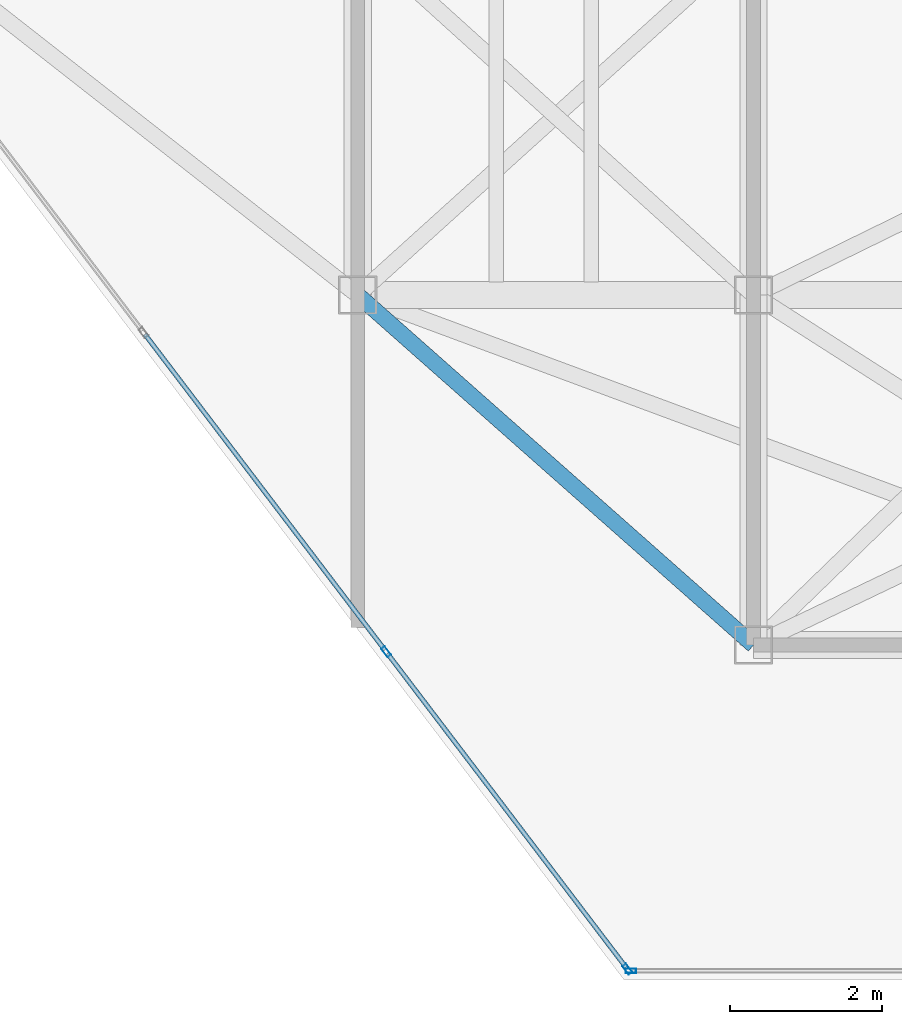
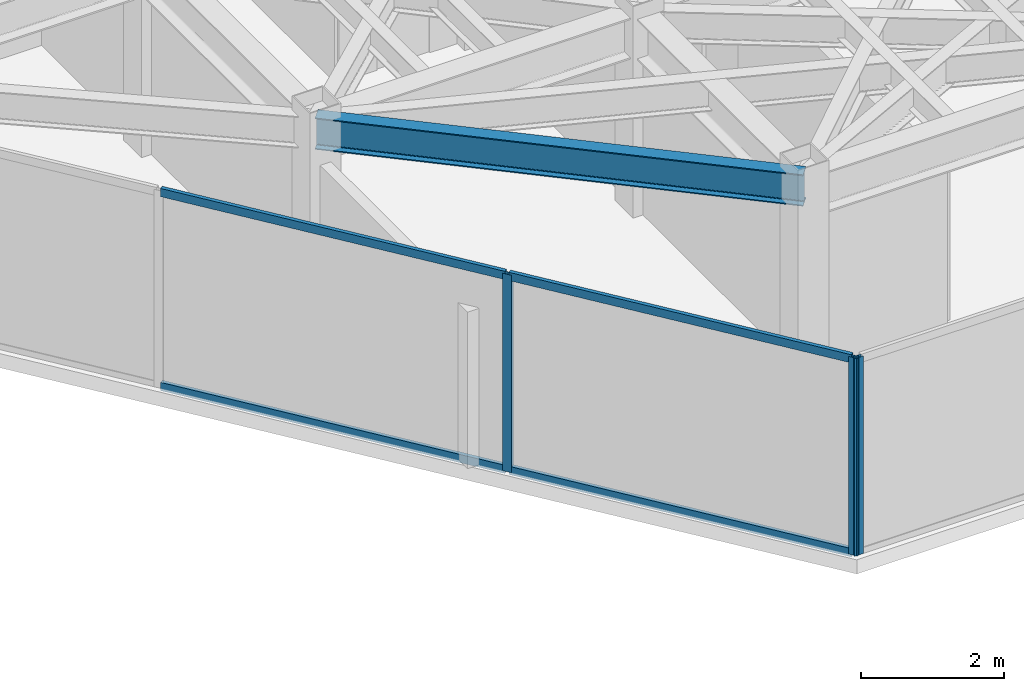
# One storey, part 6 of 17: 7 members, 1 beam, 2 elements without a shape of their own.
"""IFC4 building model written with IfcOpenShell, lengths in metres."""

from ifc_helpers import new_model, si_unit, direction, frame, origin, origin_2d, place, context, subcontext, project, spatial, hollow_rectangle, i_section, extrude, material, layer, layer_set, material_profile, profile_set, type_object, element, aggregate, save


model = new_model("IFC4")

# Units and contexts
model_context = context("Model", 3, precision=1e-05, world=origin(), true_north=direction((0.0, 1.0)))
body_context = subcontext(model_context, "Body", "Model", "MODEL_VIEW")
ifc_project = project(units=[si_unit("LENGTHUNIT", "METRE"), si_unit("AREAUNIT", "SQUARE_METRE"), si_unit("VOLUMEUNIT", "CUBIC_METRE"), si_unit("PLANEANGLEUNIT", "RADIAN"), si_unit("MASSUNIT", "GRAM", prefix="KILO")], contexts=[model_context])

# Site, building, storey
site_placement = place(None, origin())
site = spatial("IfcSite", under=ifc_project, at=site_placement, CompositionType="ELEMENT")
building_placement = place(site_placement, origin())
building = spatial("IfcBuilding", under=site, at=building_placement, Name="Kravanh Interchange Tower", CompositionType="ELEMENT")
storey_placement = place(building_placement, frame((0.0, 0.0, 249.0)))
storey = spatial("IfcBuildingStorey", under=building, at=storey_placement, Name="L60", CompositionType="ELEMENT", Elevation=249.0)

# Curtain wall, member
ifc_material_1 = material(Name="Anodised Bronze Aluminium", Category="aluminium")
ifc_layer = layer(ifc_material_1, 0.179931640625)
ifc_layer_set = layer_set([ifc_layer], Name="Unitised Curtain Wall System CW-HTL Luxury Hotel")
curtain_wall_type = type_object("IfcCurtainWallType", Name="Unitised Curtain Wall System CW-HTL Luxury Hotel", PredefinedType="NOTDEFINED", material=ifc_layer_set)
curtain_wall_1_placement = place(storey_placement, origin())
curtain_wall_1 = element("IfcCurtainWall", 1, at=curtain_wall_1_placement, inside=storey, type_object=curtain_wall_type, Name="L60 Unitised Curtain Wall CW-L60-02", PredefinedType="NOTDEFINED")
ifc_material_2 = material(Name="Anodised Bronze Aluminium", Category="aluminium")
ifc_material_profile_1 = material_profile(ifc_material_2, hollow_rectangle(XDim=0.06005859375, YDim=0.139892578125, WallThickness=0.00390625, at=origin_2d()), Name="ALU60X140X4")
ifc_profile_set_1 = profile_set([ifc_material_profile_1], Name="Anodised Bronze Aluminium")
member_type_1 = type_object("IfcMemberType", Name="Curtain Wall Mullion ALU60X140X4 Bronze", PredefinedType="MULLION", material=ifc_profile_set_1)
member_1_placement = place(storey_placement, frame((54.389404296875, 17.919921875, 0.0), z_axis=(0.0, 0.0, 1.0), x_axis=(0.0, -1.0, 0.0)))
member_1 = element("IfcMember", 2, at=member_1_placement, type_object=member_type_1, Name="CW-HTL mullion 3", PredefinedType="MULLION", context=body_context, shape_type="SweptSolid", body=[
    extrude(hollow_rectangle(XDim=0.06005859375, YDim=0.139892578125, WallThickness=0.00390625, at=origin_2d()), origin(), (0.0, 0.0, 1.0), 3.360107421875),
])
aggregate(curtain_wall_1, [member_1])

# Curtain wall, members
curtain_wall_2_placement = place(storey_placement, origin())
curtain_wall_2 = element("IfcCurtainWall", 3, at=curtain_wall_2_placement, inside=storey, type_object=curtain_wall_type, Name="L60 Unitised Curtain Wall CW-L60-03", PredefinedType="NOTDEFINED")
member_2_placement = place(storey_placement, frame((54.34130859375, 17.94384765625, 0.0), z_axis=(0.0, 0.0, 1.0), x_axis=(-0.79616243806, -0.605082946564, 0.0)))
member_2 = element("IfcMember", 4, at=member_2_placement, type_object=member_type_1, Name="CW-HTL mullion 1", PredefinedType="MULLION", context=body_context, shape_type="SweptSolid", body=[
    extrude(hollow_rectangle(XDim=0.06005859375, YDim=0.139892578125, WallThickness=0.00390625, at=origin_2d()), origin(), (0.0, 0.0, 1.0), 3.360107421875),
])
member_3_placement = place(storey_placement, frame((51.173095703125, 22.11279296875, 0.0), z_axis=(0.0, 0.0, 1.0), x_axis=(-0.79616243806, -0.605082946564, 0.0)))
member_3 = element("IfcMember", 5, at=member_3_placement, type_object=member_type_1, Name="CW-HTL mullion 2", PredefinedType="MULLION", context=body_context, shape_type="SweptSolid", body=[
    extrude(hollow_rectangle(XDim=0.06005859375, YDim=0.139892578125, WallThickness=0.00390625, at=origin_2d()), origin(), (0.0, 0.0, 1.0), 3.360107421875),
])
ifc_material_3 = material(Name="Anodised Bronze Aluminium", Category="aluminium")
ifc_material_profile_2 = material_profile(ifc_material_3, hollow_rectangle(XDim=0.06005859375, YDim=0.139892578125, WallThickness=0.00390625, at=origin_2d()), Name="ALU60X140X4")
ifc_profile_set_2 = profile_set([ifc_material_profile_2], Name="Anodised Bronze Aluminium")
member_type_2 = type_object("IfcMemberType", Name="Curtain Wall Transom ALU60X140X4 Bronze", PredefinedType="USERDEFINED", material=ifc_profile_set_2)
member_4_placement = place(storey_placement, frame((54.3232421875, 17.9677734375, 0.030029296875), z_axis=(-0.605089246946, 0.796157649734, 0.0), x_axis=(-0.796157649734, -0.605089246946, 0.0)))
member_4 = element("IfcMember", 6, at=member_4_placement, type_object=member_type_2, Name="CW-HTL transom 1.1", ObjectType="TRANSOM", PredefinedType="USERDEFINED", context=body_context, shape_type="SweptSolid", body=[
    extrude(hollow_rectangle(XDim=0.06005859375, YDim=0.139892578125, WallThickness=0.00390625, at=origin_2d()), origin(), (0.0, 0.0, 1.0), 5.17626953125),
])
member_5_placement = place(storey_placement, frame((54.3232421875, 17.9677734375, 3.330078125), z_axis=(-0.605089246946, 0.796157649734, 0.0), x_axis=(-0.796157649734, -0.605089246946, 0.0)))
member_5 = element("IfcMember", 7, at=member_5_placement, type_object=member_type_2, Name="CW-HTL transom 1.2", ObjectType="TRANSOM", PredefinedType="USERDEFINED", context=body_context, shape_type="SweptSolid", body=[
    extrude(hollow_rectangle(XDim=0.06005859375, YDim=0.139892578125, WallThickness=0.00390625, at=origin_2d()), origin(), (0.0, 0.0, 1.0), 5.17626953125),
])
member_6_placement = place(storey_placement, frame((51.15478515625, 22.13671875, 0.030029296875), z_axis=(-0.605074944506, 0.796168519555, 0.0), x_axis=(-0.796168519555, -0.605074944506, 0.0)))
member_6 = element("IfcMember", 8, at=member_6_placement, type_object=member_type_2, Name="CW-HTL transom 2.1", ObjectType="TRANSOM", PredefinedType="USERDEFINED", context=body_context, shape_type="SweptSolid", body=[
    extrude(hollow_rectangle(XDim=0.06005859375, YDim=0.139892578125, WallThickness=0.00390625, at=origin_2d()), origin(), (0.0, 0.0, 1.0), 5.206298828125),
])
member_7_placement = place(storey_placement, frame((51.15478515625, 22.13671875, 3.330078125), z_axis=(-0.605074944506, 0.796168519555, 0.0), x_axis=(-0.796168519555, -0.605074944506, 0.0)))
member_7 = element("IfcMember", 9, at=member_7_placement, type_object=member_type_2, Name="CW-HTL transom 2.2", ObjectType="TRANSOM", PredefinedType="USERDEFINED", context=body_context, shape_type="SweptSolid", body=[
    extrude(hollow_rectangle(XDim=0.06005859375, YDim=0.139892578125, WallThickness=0.00390625, at=origin_2d()), origin(), (0.0, 0.0, 1.0), 5.206298828125),
])
aggregate(curtain_wall_2, [member_2, member_3, member_4, member_5, member_6, member_7])

# Beam
ifc_material_4 = material(Name="Structural Steel S355", Category="steel")
ifc_material_profile_3 = material_profile(ifc_material_4, i_section(OverallWidth=0.2099609375, OverallDepth=0.537109375, WebThickness=0.010986328125, FlangeThickness=0.017333984375, FilletRadius=0.02001953125, at=origin_2d()), Name="W21X68")
ifc_profile_set_3 = profile_set([ifc_material_profile_3], Name="Structural Steel S355")
beam_type = type_object("IfcBeamType", Name="Floor Spandrel W21X68 Structural Steel S355", PredefinedType="SPANDREL", material=ifc_profile_set_3)
beam_placement = place(storey_placement, frame((50.800048828125, 26.800048828125, 3.091552734375), z_axis=(0.74898649432, -0.662585263439, 0.0), x_axis=(0.662585263439, 0.74898649432, 0.0)))
element("IfcBeam", 10, at=beam_placement, inside=storey, type_object=beam_type, Name="L60 Perimeter Spandrel 32", PredefinedType="SPANDREL", context=body_context, shape_type="SweptSolid", body=[
    extrude(i_section(OverallWidth=0.2099609375, OverallDepth=0.537109375, WebThickness=0.010986328125, FlangeThickness=0.017333984375, FilletRadius=0.02001953125, at=origin_2d()), origin(), (0.0, 0.0, 1.0), 6.942626953125),
])

save(model, "model.ifc")
